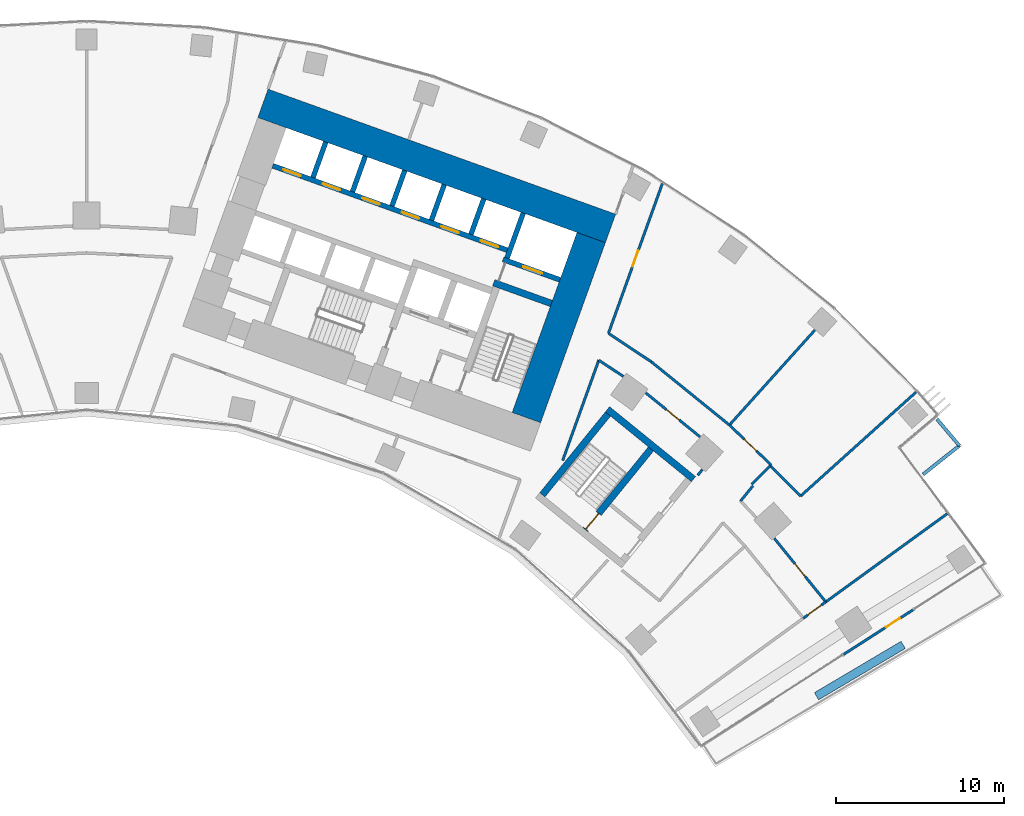
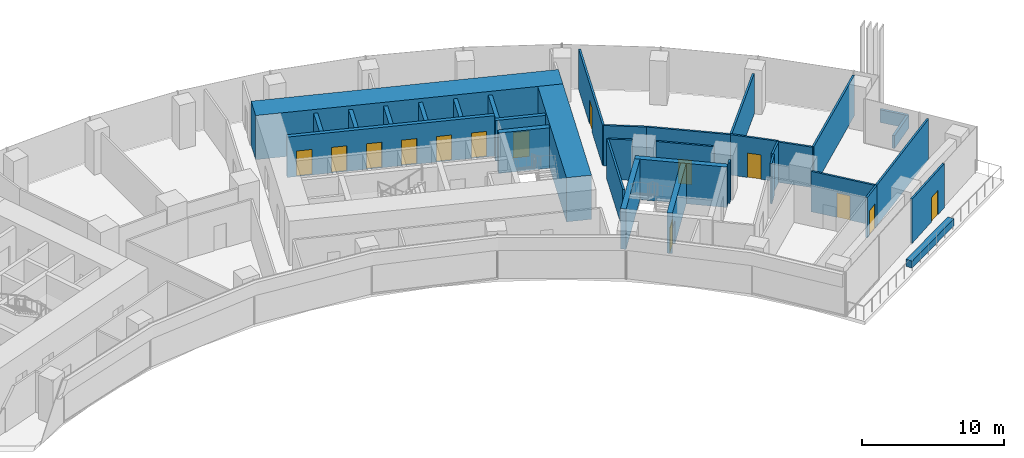
# One storey, part 18 of 21: 34 walls, 14 doors, 14 openings.
"""IFC4 building model written with IfcOpenShell, lengths in metres."""

from ifc_helpers import new_model, si_unit, direction, frame, frame_2d, origin, origin_2d, place, context, subcontext, project, spatial, rectangle, extrude, material, layer, layer_set, type_object, element, fill, save


model = new_model("IFC4")

# Units and contexts
model_context = context("Model", 3, precision=1e-05, world=origin(), true_north=direction((0.0, 1.0)))
body_context = subcontext(model_context, "Body", "Model", "MODEL_VIEW")
ifc_project = project(units=[si_unit("LENGTHUNIT", "METRE"), si_unit("AREAUNIT", "SQUARE_METRE"), si_unit("VOLUMEUNIT", "CUBIC_METRE"), si_unit("PLANEANGLEUNIT", "RADIAN"), si_unit("MASSUNIT", "GRAM", prefix="KILO")], contexts=[model_context])

# Site, building, storey
site_placement = place(None, origin())
site = spatial("IfcSite", under=ifc_project, at=site_placement, CompositionType="ELEMENT")
building_placement = place(site_placement, origin())
building = spatial("IfcBuilding", under=site, at=building_placement, Name="Stone Belt Terrace Tower", CompositionType="ELEMENT")
storey_placement = place(building_placement, frame((0.0, 0.0, 45.199951171875)))
storey = spatial("IfcBuildingStorey", under=building, at=storey_placement, Name="L10", CompositionType="ELEMENT", Elevation=45.199951171875)

# Wall, opening, door
ifc_material_1 = material(Name="Terracotta coloured glazed ceramic", Category="masonry")
ifc_layer_1 = layer(ifc_material_1, 0.14990234375)
ifc_layer_set_1 = layer_set([ifc_layer_1], Name="Ceramic rain-screen wall 150")
wall_type_1 = type_object("IfcWallType", Name="Ceramic rain-screen wall 150", PredefinedType="SOLIDWALL", material=ifc_layer_set_1)
wall_1_placement = place(storey_placement, frame((45.08447265625, 28.859375, 0.0), z_axis=(0.0, 0.0, 1.0), x_axis=(0.841477026499, 0.540292896376, 0.0)))
wall_1 = element("IfcWall", 1, at=wall_1_placement, inside=storey, type_object=wall_type_1, Name="Door wall L10", PredefinedType="SOLIDWALL", context=body_context, shape_type="SweptSolid", body=[
    extrude(rectangle(XDim=4.939697265625, YDim=0.14990234375, at=frame_2d((2.4697265625, 0.0))), origin(), (0.0, 0.0, 1.0), 3.800048828125),
])
opening_1_placement = place(wall_1_placement, frame((3.0, 0.0, 0.0)))
opening_1 = element("IfcOpeningElement", 2, at=opening_1_placement, cuts=wall_1, Name="Opening L10-E01", PredefinedType="OPENING", context=body_context, shape_type="SweptSolid", body=[
    extrude(rectangle(XDim=1.0, YDim=2.10009765625, at=frame_2d((0.5, 1.050048828125))), frame((0.0, 0.0849609375, 0.0), z_axis=(0.0, -1.0, 0.0), x_axis=(1.0, 0.0, 0.0)), (0.0, 0.0, 1.0), 0.169921875),
])
ifc_material_2 = material(Name="Anodised aluminium glazed door", Category="aluminium")
door_type_1 = type_object("IfcDoorType", Name="Terrace door 1000 x 2100", OperationType="NOTDEFINED", PredefinedType="DOOR", material=ifc_material_2)
door_1_placement = place(opening_1_placement, origin())
door_1 = element("IfcDoor", 3, at=door_1_placement, inside=storey, type_object=door_type_1, Name="Terrace door L10", OperationType="SINGLE_SWING_RIGHT", OverallHeight=2.10009765625, OverallWidth=1.0, PredefinedType="DOOR", context=body_context, shape_type="SweptSolid", body=[
    extrude(rectangle(XDim=1.0, YDim=2.10009765625, at=frame_2d((0.5, 1.050048828125))), frame((0.0, 0.02490234375, 0.0), z_axis=(0.0, -1.0, 0.0), x_axis=(1.0, 0.0, 0.0)), (0.0, 0.0, 1.0), 0.050048828125),
])
fill(opening_1, door_1)

# Walls
ifc_material_3 = material(Name="Concrete B80", Category="concrete")
ifc_layer_2 = layer(ifc_material_3, 1.800048828125)
ifc_layer_set_2 = layer_set([ifc_layer_2], Name="Core wall 1800 B80")
wall_type_2 = type_object("IfcWallType", Name="Core wall 1800 B80", PredefinedType="SHEAR", material=ifc_layer_set_2)
wall_2_placement = place(storey_placement, frame((10.509033203125, 61.685546875, 0.0), z_axis=(0.0, 0.0, 1.0), x_axis=(0.940922914687, -0.338620833112, 0.0)))
element("IfcWall", 4, at=wall_2_placement, inside=storey, type_object=wall_type_2, Name="Core B wall convex L10", PredefinedType="SHEAR", context=body_context, shape_type="SweptSolid", body=[
    extrude(rectangle(XDim=22.000244140625, YDim=1.800048828125, at=frame_2d((11.0, 0.0))), origin(), (0.0, 0.0, 1.0), 3.800048828125),
])
wall_3_placement = place(storey_placement, frame((26.197509765625, 42.96728515625, 0.0), z_axis=(0.0, 0.0, 1.0), x_axis=(0.338625431531, 0.940921259788, 0.0)))
element("IfcWall", 5, at=wall_3_placement, inside=storey, type_object=wall_type_2, Name="Core B wall end_b L10", PredefinedType="SHEAR", context=body_context, shape_type="SweptSolid", body=[
    extrude(rectangle(XDim=11.400146484375, YDim=1.800048828125, at=frame_2d((5.7001953125, 0.0))), origin(), (0.0, 0.0, 1.0), 3.800048828125),
])

# Wall, opening, door
ifc_layer_3 = layer(ifc_material_3, 0.300048828125)
ifc_layer_set_3 = layer_set([ifc_layer_3], Name="Lift shaft wall 300")
wall_type_3 = type_object("IfcWallType", Name="Lift shaft wall 300", PredefinedType="SHEAR", material=ifc_layer_set_3)
wall_4_placement = place(storey_placement, frame((28.195068359375, 51.17578125, 0.0), z_axis=(0.0, 0.0, 1.0), x_axis=(-0.940901243567, 0.338681044427, 0.0)))
wall_4 = element("IfcWall", 6, at=wall_4_placement, inside=storey, type_object=wall_type_3, Name="Core B wall", PredefinedType="SHEAR", context=body_context, shape_type="SweptSolid", body=[
    extrude(rectangle(XDim=3.599853515625, YDim=0.300048828125, at=frame_2d((1.7998046875, 0.0))), origin(), (0.0, 0.0, 1.0), 3.47998046875),
])
opening_2_placement = place(wall_4_placement, frame((1.1201171875, 0.0, 0.0)))
opening_2 = element("IfcOpeningElement", 7, at=opening_2_placement, cuts=wall_4, Name="Opening L10-LD18", PredefinedType="OPENING", context=body_context, shape_type="SweptSolid", body=[
    extrude(rectangle(XDim=1.199951171875, YDim=2.199951171875, at=frame_2d((0.60009765625, 1.10009765625))), frame((0.0, 0.159912109375, 0.0), z_axis=(0.0, -1.0, 0.0), x_axis=(1.0, 0.0, 0.0)), (0.0, 0.0, 1.0), 0.320068359375),
])
ifc_material_4 = material(Name="Stainless steel door leaf", Category="steel")
door_type_2 = type_object("IfcDoorType", Name="Landing door 1200", OperationType="SLIDING_TO_LEFT", PredefinedType="DOOR", material=ifc_material_4)
door_2_placement = place(opening_2_placement, origin())
door_2 = element("IfcDoor", 8, at=door_2_placement, inside=storey, type_object=door_type_2, Name="Landing door SV1 core B", OperationType="SLIDING_TO_LEFT", OverallHeight=2.199951171875, OverallWidth=1.199951171875, PredefinedType="DOOR", context=body_context, shape_type="SweptSolid", body=[
    extrude(rectangle(XDim=1.199951171875, YDim=2.199951171875, at=frame_2d((0.60009765625, 1.10009765625))), frame((0.0, 0.02490234375, 0.0), z_axis=(0.0, -1.0, 0.0), x_axis=(1.0, 0.0, 0.0)), (0.0, 0.0, 1.0), 0.050048828125),
])
fill(opening_2, door_2)

# Wall
wall_5_placement = place(storey_placement, frame((25.046875, 52.46826171875, 0.0), z_axis=(0.0, 0.0, 1.0), x_axis=(0.338549588058, 0.940948551423, 0.0)))
element("IfcWall", 9, at=wall_5_placement, inside=storey, type_object=wall_type_3, Name="Core B wall", PredefinedType="SHEAR", context=body_context, shape_type="SweptSolid", body=[
    extrude(rectangle(XDim=2.849853515625, YDim=0.300048828125, at=frame_2d((1.4248046875, 0.0))), origin(), (0.0, 0.0, 1.0), 3.47998046875),
])

# Wall, openings, doors
wall_6_placement = place(storey_placement, frame((25.05810546875, 52.9423828125, 0.0), z_axis=(0.0, 0.0, 1.0), x_axis=(-0.940918215764, 0.338633889685, 0.0)))
wall_6 = element("IfcWall", 10, at=wall_6_placement, inside=storey, type_object=wall_type_3, Name="Core B wall", PredefinedType="SHEAR", context=body_context, shape_type="SweptSolid", body=[
    extrude(rectangle(XDim=14.850341796875, YDim=0.300048828125, at=frame_2d((7.42529296875, 0.0))), origin(), (0.0, 0.0, 1.0), 3.47998046875),
])
opening_3_placement = place(wall_6_placement, frame((0.570068359375, 0.0, 0.0)))
opening_3 = element("IfcOpeningElement", 11, at=opening_3_placement, cuts=wall_6, Name="Opening L10-LD10", PredefinedType="OPENING", context=body_context, shape_type="SweptSolid", body=[
    extrude(rectangle(XDim=1.10009765625, YDim=2.199951171875, at=frame_2d((0.550048828125, 1.10009765625))), frame((0.0, 0.159912109375, 0.0), z_axis=(0.0, -1.0, 0.0), x_axis=(1.0, 0.0, 0.0)), (0.0, 0.0, 1.0), 0.320068359375),
])
opening_4_placement = place(wall_6_placement, frame((3.070068359375, 0.0, 0.0)))
opening_4 = element("IfcOpeningElement", 12, at=opening_4_placement, cuts=wall_6, Name="Opening L10-LD11", PredefinedType="OPENING", context=body_context, shape_type="SweptSolid", body=[
    extrude(rectangle(XDim=1.10009765625, YDim=2.199951171875, at=frame_2d((0.550048828125, 1.10009765625))), frame((0.0, 0.159912109375, 0.0), z_axis=(0.0, -1.0, 0.0), x_axis=(1.0, 0.0, 0.0)), (0.0, 0.0, 1.0), 0.320068359375),
])
opening_5_placement = place(wall_6_placement, frame((5.570068359375, 0.0, 0.0)))
opening_5 = element("IfcOpeningElement", 13, at=opening_5_placement, cuts=wall_6, Name="Opening L10-LD12", PredefinedType="OPENING", context=body_context, shape_type="SweptSolid", body=[
    extrude(rectangle(XDim=1.10009765625, YDim=2.199951171875, at=frame_2d((0.550048828125, 1.10009765625))), frame((0.0, 0.159912109375, 0.0), z_axis=(0.0, -1.0, 0.0), x_axis=(1.0, 0.0, 0.0)), (0.0, 0.0, 1.0), 0.320068359375),
])
opening_6_placement = place(wall_6_placement, frame((8.070068359375, 0.0, 0.0)))
opening_6 = element("IfcOpeningElement", 14, at=opening_6_placement, cuts=wall_6, Name="Opening L10-LD13", PredefinedType="OPENING", context=body_context, shape_type="SweptSolid", body=[
    extrude(rectangle(XDim=1.10009765625, YDim=2.199951171875, at=frame_2d((0.550048828125, 1.10009765625))), frame((0.0, 0.159912109375, 0.0), z_axis=(0.0, -1.0, 0.0), x_axis=(1.0, 0.0, 0.0)), (0.0, 0.0, 1.0), 0.320068359375),
])
opening_7_placement = place(wall_6_placement, frame((10.570068359375, 0.0, 0.0)))
opening_7 = element("IfcOpeningElement", 15, at=opening_7_placement, cuts=wall_6, Name="Opening L10-LD14", PredefinedType="OPENING", context=body_context, shape_type="SweptSolid", body=[
    extrude(rectangle(XDim=1.10009765625, YDim=2.199951171875, at=frame_2d((0.550048828125, 1.10009765625))), frame((0.0, 0.159912109375, 0.0), z_axis=(0.0, -1.0, 0.0), x_axis=(1.0, 0.0, 0.0)), (0.0, 0.0, 1.0), 0.320068359375),
])
opening_8_placement = place(wall_6_placement, frame((13.070068359375, 0.0, 0.0)))
opening_8 = element("IfcOpeningElement", 16, at=opening_8_placement, cuts=wall_6, Name="Opening L10-LD15", PredefinedType="OPENING", context=body_context, shape_type="SweptSolid", body=[
    extrude(rectangle(XDim=1.10009765625, YDim=2.199951171875, at=frame_2d((0.550048828125, 1.10009765625))), frame((0.0, 0.159912109375, 0.0), z_axis=(0.0, -1.0, 0.0), x_axis=(1.0, 0.0, 0.0)), (0.0, 0.0, 1.0), 0.320068359375),
])
door_type_3 = type_object("IfcDoorType", Name="Landing door 1100", OperationType="SLIDING_TO_LEFT", PredefinedType="DOOR", material=ifc_material_4)
door_3_placement = place(opening_3_placement, origin())
door_3 = element("IfcDoor", 17, at=door_3_placement, inside=storey, type_object=door_type_3, Name="Landing door LR1 core B", OperationType="SLIDING_TO_LEFT", OverallHeight=2.199951171875, OverallWidth=1.10009765625, PredefinedType="DOOR", context=body_context, shape_type="SweptSolid", body=[
    extrude(rectangle(XDim=1.10009765625, YDim=2.199951171875, at=frame_2d((0.550048828125, 1.10009765625))), frame((0.0, 0.02490234375, 0.0), z_axis=(0.0, -1.0, 0.0), x_axis=(1.0, 0.0, 0.0)), (0.0, 0.0, 1.0), 0.050048828125),
])
fill(opening_3, door_3)
door_4_placement = place(opening_4_placement, origin())
door_4 = element("IfcDoor", 18, at=door_4_placement, inside=storey, type_object=door_type_3, Name="Landing door LR2 core B", OperationType="SLIDING_TO_LEFT", OverallHeight=2.199951171875, OverallWidth=1.10009765625, PredefinedType="DOOR", context=body_context, shape_type="SweptSolid", body=[
    extrude(rectangle(XDim=1.10009765625, YDim=2.199951171875, at=frame_2d((0.550048828125, 1.10009765625))), frame((0.0, 0.02490234375, 0.0), z_axis=(0.0, -1.0, 0.0), x_axis=(1.0, 0.0, 0.0)), (0.0, 0.0, 1.0), 0.050048828125),
])
fill(opening_4, door_4)
door_5_placement = place(opening_5_placement, origin())
door_5 = element("IfcDoor", 19, at=door_5_placement, inside=storey, type_object=door_type_3, Name="Landing door LR3 core B", OperationType="SLIDING_TO_LEFT", OverallHeight=2.199951171875, OverallWidth=1.10009765625, PredefinedType="DOOR", context=body_context, shape_type="SweptSolid", body=[
    extrude(rectangle(XDim=1.10009765625, YDim=2.199951171875, at=frame_2d((0.550048828125, 1.10009765625))), frame((0.0, 0.02490234375, 0.0), z_axis=(0.0, -1.0, 0.0), x_axis=(1.0, 0.0, 0.0)), (0.0, 0.0, 1.0), 0.050048828125),
])
fill(opening_5, door_5)
door_6_placement = place(opening_6_placement, origin())
door_6 = element("IfcDoor", 20, at=door_6_placement, inside=storey, type_object=door_type_3, Name="Landing door LR4 core B", OperationType="SLIDING_TO_LEFT", OverallHeight=2.199951171875, OverallWidth=1.10009765625, PredefinedType="DOOR", context=body_context, shape_type="SweptSolid", body=[
    extrude(rectangle(XDim=1.10009765625, YDim=2.199951171875, at=frame_2d((0.550048828125, 1.10009765625))), frame((0.0, 0.02490234375, 0.0), z_axis=(0.0, -1.0, 0.0), x_axis=(1.0, 0.0, 0.0)), (0.0, 0.0, 1.0), 0.050048828125),
])
fill(opening_6, door_6)
door_7_placement = place(opening_7_placement, origin())
door_7 = element("IfcDoor", 21, at=door_7_placement, inside=storey, type_object=door_type_3, Name="Landing door LR5 core B", OperationType="SLIDING_TO_LEFT", OverallHeight=2.199951171875, OverallWidth=1.10009765625, PredefinedType="DOOR", context=body_context, shape_type="SweptSolid", body=[
    extrude(rectangle(XDim=1.10009765625, YDim=2.199951171875, at=frame_2d((0.550048828125, 1.10009765625))), frame((0.0, 0.02490234375, 0.0), z_axis=(0.0, -1.0, 0.0), x_axis=(1.0, 0.0, 0.0)), (0.0, 0.0, 1.0), 0.050048828125),
])
fill(opening_7, door_7)
door_8_placement = place(opening_8_placement, origin())
door_8 = element("IfcDoor", 22, at=door_8_placement, inside=storey, type_object=door_type_3, Name="Landing door LR6 core B", OperationType="SLIDING_TO_LEFT", OverallHeight=2.199951171875, OverallWidth=1.10009765625, PredefinedType="DOOR", context=body_context, shape_type="SweptSolid", body=[
    extrude(rectangle(XDim=1.10009765625, YDim=2.199951171875, at=frame_2d((0.550048828125, 1.10009765625))), frame((0.0, 0.02490234375, 0.0), z_axis=(0.0, -1.0, 0.0), x_axis=(1.0, 0.0, 0.0)), (0.0, 0.0, 1.0), 0.050048828125),
])
fill(opening_8, door_8)

# Walls
wall_7_placement = place(storey_placement, frame((22.897705078125, 53.87939453125, 0.0), z_axis=(0.0, 0.0, 1.0), x_axis=(0.338535034312, 0.940953787677, 0.0)))
element("IfcWall", 23, at=wall_7_placement, inside=storey, type_object=wall_type_3, Name="Core B wall", PredefinedType="SHEAR", context=body_context, shape_type="SweptSolid", body=[
    extrude(rectangle(XDim=2.25, YDim=0.300048828125, at=frame_2d((1.125, 0.0))), origin(), (0.0, 0.0, 1.0), 3.47998046875),
])
wall_8_placement = place(storey_placement, frame((20.54541015625, 54.72607421875, 0.0), z_axis=(0.0, 0.0, 1.0), x_axis=(0.338569601369, 0.940941350472, 0.0)))
element("IfcWall", 24, at=wall_8_placement, inside=storey, type_object=wall_type_3, Name="Core B wall", PredefinedType="SHEAR", context=body_context, shape_type="SweptSolid", body=[
    extrude(rectangle(XDim=2.249755859375, YDim=0.300048828125, at=frame_2d((1.125, 0.0))), origin(), (0.0, 0.0, 1.0), 3.47998046875),
])
wall_9_placement = place(storey_placement, frame((18.193115234375, 55.572509765625, 0.0), z_axis=(0.0, 0.0, 1.0), x_axis=(0.338535034312, 0.940953787677, 0.0)))
element("IfcWall", 25, at=wall_9_placement, inside=storey, type_object=wall_type_3, Name="Core B wall", PredefinedType="SHEAR", context=body_context, shape_type="SweptSolid", body=[
    extrude(rectangle(XDim=2.25, YDim=0.300048828125, at=frame_2d((1.125, 0.0))), origin(), (0.0, 0.0, 1.0), 3.47998046875),
])
wall_10_placement = place(storey_placement, frame((15.8408203125, 56.419189453125, 0.0), z_axis=(0.0, 0.0, 1.0), x_axis=(0.338569601369, 0.940941350472, 0.0)))
element("IfcWall", 26, at=wall_10_placement, inside=storey, type_object=wall_type_3, Name="Core B wall", PredefinedType="SHEAR", context=body_context, shape_type="SweptSolid", body=[
    extrude(rectangle(XDim=2.249755859375, YDim=0.300048828125, at=frame_2d((1.125, 0.0))), origin(), (0.0, 0.0, 1.0), 3.47998046875),
])
wall_11_placement = place(storey_placement, frame((13.48828125, 57.265625, 0.0), z_axis=(0.0, 0.0, 1.0), x_axis=(0.338631098537, 0.940919220286, 0.0)))
element("IfcWall", 27, at=wall_11_placement, inside=storey, type_object=wall_type_3, Name="Core B wall", PredefinedType="SHEAR", context=body_context, shape_type="SweptSolid", body=[
    extrude(rectangle(XDim=2.250244140625, YDim=0.300048828125, at=frame_2d((1.125, 0.0))), origin(), (0.0, 0.0, 1.0), 3.47998046875),
])
ifc_material_5 = material(Name="Gypsum board partition")
ifc_layer_4 = layer(ifc_material_5, 0.14990234375)
ifc_layer_set_4 = layer_set([ifc_layer_4], Name="PARTITION 150 EI 60")
wall_type_4 = type_object("IfcWallType", Name="PARTITION 150 EI 60", PredefinedType="PARTITIONING", material=ifc_layer_set_4)
wall_12_placement = place(storey_placement, frame((30.512939453125, 46.39599609375, 0.0), z_axis=(0.0, 0.0, 1.0), x_axis=(-0.338588876135, -0.940934414801, 0.0)))
element("IfcWall", 28, at=wall_12_placement, inside=storey, type_object=wall_type_4, Name="L10/wall/i025", PredefinedType="PARTITIONING", context=body_context, shape_type="SweptSolid", body=[
    extrude(rectangle(XDim=6.35546875, YDim=0.14990234375, at=frame_2d((3.177734375, 0.0))), origin(), (0.0, 0.0, 1.0), 3.47998046875),
])

# Wall, opening, door
wall_13_placement = place(storey_placement, frame((34.298095703125, 56.91015625, 0.0), z_axis=(0.0, 0.0, 1.0), x_axis=(-0.33871491295, -0.940889051772, 0.0)))
wall_13 = element("IfcWall", 29, at=wall_13_placement, inside=storey, type_object=wall_type_4, Name="L10/wall/i027", PredefinedType="PARTITIONING", context=body_context, shape_type="SweptSolid", body=[
    extrude(rectangle(XDim=9.489013671875, YDim=0.14990234375, at=frame_2d((4.74462890625, 0.0))), origin(), (0.0, 0.0, 1.0), 3.47998046875),
])
opening_9_placement = place(wall_13_placement, frame((4.244384765625, 0.0, 0.0)))
opening_9 = element("IfcOpeningElement", 30, at=opening_9_placement, cuts=wall_13, Name="Opening D-A3-24", PredefinedType="OPENING", context=body_context, shape_type="SweptSolid", body=[
    extrude(rectangle(XDim=1.0, YDim=2.10009765625, at=frame_2d((0.5, 1.050048828125))), frame((0.0, 0.0849609375, 0.0), z_axis=(0.0, -1.0, 0.0), x_axis=(1.0, 0.0, 0.0)), (0.0, 0.0, 1.0), 0.169921875),
])
ifc_material_6 = material(Name="Timber fire door leaf", Category="wood")
door_type_4 = type_object("IfcDoorType", Name="TENANCY ENTRANCE DOOR 1000 X 2100", OperationType="NOTDEFINED", PredefinedType="DOOR", material=ifc_material_6)
door_9_placement = place(opening_9_placement, origin())
door_9 = element("IfcDoor", 31, at=door_9_placement, inside=storey, type_object=door_type_4, Name="L10/door/i24", OperationType="SINGLE_SWING_RIGHT", OverallHeight=2.10009765625, OverallWidth=1.0, PredefinedType="DOOR", context=body_context, shape_type="SweptSolid", body=[
    extrude(rectangle(XDim=1.0, YDim=2.10009765625, at=frame_2d((0.5, 1.050048828125))), frame((0.0, 0.02490234375, 0.0), z_axis=(0.0, -1.0, 0.0), x_axis=(1.0, 0.0, 0.0)), (0.0, 0.0, 1.0), 0.050048828125),
])
fill(opening_9, door_9)

wall_14_placement = place(storey_placement, frame((44.035888671875, 31.992919921875, 0.0), z_axis=(0.0, 0.0, 1.0), x_axis=(-0.809123336002, -0.58763885775, 0.0)))
wall_14 = element("IfcWall", 32, at=wall_14_placement, inside=storey, type_object=wall_type_4, Name="L10/wall/i061", PredefinedType="PARTITIONING", context=body_context, shape_type="SweptSolid", body=[
    extrude(rectangle(XDim=1.662353515625, YDim=0.14990234375, at=frame_2d((0.8310546875, 0.0))), origin(), (0.0, 0.0, 1.0), 3.47998046875),
])
opening_10_placement = place(wall_14_placement, frame((0.331298828125, 0.0, 0.0)))
opening_10 = element("IfcOpeningElement", 33, at=opening_10_placement, cuts=wall_14, Name="Opening D-A3-20", PredefinedType="OPENING", context=body_context, shape_type="SweptSolid", body=[
    extrude(rectangle(XDim=1.0, YDim=2.10009765625, at=frame_2d((0.5, 1.050048828125))), frame((0.0, 0.0849609375, 0.0), z_axis=(0.0, -1.0, 0.0), x_axis=(1.0, 0.0, 0.0)), (0.0, 0.0, 1.0), 0.169921875),
])
door_10_placement = place(opening_10_placement, origin())
door_10 = element("IfcDoor", 34, at=door_10_placement, inside=storey, type_object=door_type_4, Name="L10/door/i20", OperationType="SINGLE_SWING_RIGHT", OverallHeight=2.10009765625, OverallWidth=1.0, PredefinedType="DOOR", context=body_context, shape_type="SweptSolid", body=[
    extrude(rectangle(XDim=1.0, YDim=2.10009765625, at=frame_2d((0.5, 1.050048828125))), frame((0.0, 0.02490234375, 0.0), z_axis=(0.0, -1.0, 0.0), x_axis=(1.0, 0.0, 0.0)), (0.0, 0.0, 1.0), 0.050048828125),
])
fill(opening_10, door_10)

# Wall
wall_15_placement = place(storey_placement, frame((44.02587890625, 31.987060546875, 0.0), z_axis=(0.0, 0.0, 1.0), x_axis=(0.809051316885, 0.587738008509, 0.0)))
element("IfcWall", 35, at=wall_15_placement, inside=storey, type_object=wall_type_4, Name="L10/wall/i063", PredefinedType="PARTITIONING", context=body_context, shape_type="SweptSolid", body=[
    extrude(rectangle(XDim=8.938720703125, YDim=0.14990234375, at=frame_2d((4.46923828125, 0.0))), origin(), (0.0, 0.0, 1.0), 3.47998046875),
])

# Wall, opening, door
wall_16_placement = place(storey_placement, frame((36.540771484375, 41.8232421875, 0.0), z_axis=(0.0, 0.0, 1.0), x_axis=(-0.777128540701, 0.629341903283, 0.0)))
wall_16 = element("IfcWall", 36, at=wall_16_placement, inside=storey, type_object=wall_type_4, Name="L10/wall/i064", PredefinedType="PARTITIONING", context=body_context, shape_type="SweptSolid", body=[
    extrude(rectangle(XDim=4.15478515625, YDim=0.14990234375, at=frame_2d((2.077392578125, 0.0))), origin(), (0.0, 0.0, 1.0), 3.47998046875),
])
opening_11_placement = place(wall_16_placement, frame((1.577392578125, 0.0, 0.0)))
opening_11 = element("IfcOpeningElement", 37, at=opening_11_placement, cuts=wall_16, Name="Opening D-A3-21", PredefinedType="OPENING", context=body_context, shape_type="SweptSolid", body=[
    extrude(rectangle(XDim=1.0, YDim=2.10009765625, at=frame_2d((0.5, 1.050048828125))), frame((0.0, 0.0849609375, 0.0), z_axis=(0.0, -1.0, 0.0), x_axis=(1.0, 0.0, 0.0)), (0.0, 0.0, 1.0), 0.169921875),
])
door_11_placement = place(opening_11_placement, origin())
door_11 = element("IfcDoor", 38, at=door_11_placement, inside=storey, type_object=door_type_4, Name="L10/door/i21", OperationType="SINGLE_SWING_RIGHT", OverallHeight=2.10009765625, OverallWidth=1.0, PredefinedType="DOOR", context=body_context, shape_type="SweptSolid", body=[
    extrude(rectangle(XDim=1.0, YDim=2.10009765625, at=frame_2d((0.5, 1.050048828125))), frame((0.0, 0.02490234375, 0.0), z_axis=(0.0, -1.0, 0.0), x_axis=(1.0, 0.0, 0.0)), (0.0, 0.0, 1.0), 0.050048828125),
])
fill(opening_11, door_11)

# Walls
wall_17_placement = place(storey_placement, frame((31.9736328125, 45.420166015625, 0.0), z_axis=(0.0, 0.0, 1.0), x_axis=(-0.833460186345, 0.552579512629, 0.0)))
element("IfcWall", 39, at=wall_17_placement, inside=storey, type_object=wall_type_4, Name="L10/wall/i065", PredefinedType="PARTITIONING", context=body_context, shape_type="SweptSolid", body=[
    extrude(rectangle(XDim=1.7548828125, YDim=0.14990234375, at=frame_2d((0.87744140625, 0.0))), origin(), (0.0, 0.0, 1.0), 3.47998046875),
])
wall_18_placement = place(storey_placement, frame((31.0859375, 47.988037109375, 0.0), z_axis=(0.0, 0.0, 1.0), x_axis=(0.833238850842, -0.552913209688, 0.0)))
element("IfcWall", 40, at=wall_18_placement, inside=storey, type_object=wall_type_4, Name="L10/wall/i066", PredefinedType="PARTITIONING", context=body_context, shape_type="SweptSolid", body=[
    extrude(rectangle(XDim=3.060302734375, YDim=0.14990234375, at=frame_2d((1.5302734375, 0.0))), origin(), (0.0, 0.0, 1.0), 3.47998046875),
])
wall_19_placement = place(storey_placement, frame((33.635986328125, 46.2958984375, 0.0), z_axis=(0.0, 0.0, 1.0), x_axis=(0.777109127033, -0.629365875054, 0.0)))
element("IfcWall", 41, at=wall_19_placement, inside=storey, type_object=wall_type_4, Name="L10/wall/i067", PredefinedType="PARTITIONING", context=body_context, shape_type="SweptSolid", body=[
    extrude(rectangle(XDim=5.990234375, YDim=0.14990234375, at=frame_2d((2.9951171875, 0.0))), origin(), (0.0, 0.0, 1.0), 3.47998046875),
])

# Wall, opening, door
wall_20_placement = place(storey_placement, frame((38.291015625, 42.52587890625, 0.0), z_axis=(0.0, 0.0, 1.0), x_axis=(0.722780468826, -0.691077704664, 0.0)))
wall_20 = element("IfcWall", 42, at=wall_20_placement, inside=storey, type_object=wall_type_4, Name="L10/wall/i068", PredefinedType="PARTITIONING", context=body_context, shape_type="SweptSolid", body=[
    extrude(rectangle(XDim=3.4423828125, YDim=0.14990234375, at=frame_2d((1.72119140625, 0.0))), origin(), (0.0, 0.0, 1.0), 3.47998046875),
])
opening_12_placement = place(wall_20_placement, frame((1.22119140625, 0.0, 0.0)))
opening_12 = element("IfcOpeningElement", 43, at=opening_12_placement, cuts=wall_20, Name="Opening D-A3-25", PredefinedType="OPENING", context=body_context, shape_type="SweptSolid", body=[
    extrude(rectangle(XDim=1.0, YDim=2.10009765625, at=frame_2d((0.5, 1.050048828125))), frame((0.0, 0.0849609375, 0.0), z_axis=(0.0, -1.0, 0.0), x_axis=(1.0, 0.0, 0.0)), (0.0, 0.0, 1.0), 0.169921875),
])
door_12_placement = place(opening_12_placement, origin())
door_12 = element("IfcDoor", 44, at=door_12_placement, inside=storey, type_object=door_type_4, Name="L10/door/i25", OperationType="SINGLE_SWING_RIGHT", OverallHeight=2.10009765625, OverallWidth=1.0, PredefinedType="DOOR", context=body_context, shape_type="SweptSolid", body=[
    extrude(rectangle(XDim=1.0, YDim=2.10009765625, at=frame_2d((0.5, 1.050048828125))), frame((0.0, 0.02490234375, 0.0), z_axis=(0.0, -1.0, 0.0), x_axis=(1.0, 0.0, 0.0)), (0.0, 0.0, 1.0), 0.050048828125),
])
fill(opening_12, door_12)

# Wall
wall_21_placement = place(storey_placement, frame((40.72802734375, 40.096923828125, 0.0), z_axis=(0.0, 0.0, 1.0), x_axis=(-0.712511967549, -0.7016599576, 0.0)))
element("IfcWall", 45, at=wall_21_placement, inside=storey, type_object=wall_type_4, Name="L10/wall/i069", PredefinedType="PARTITIONING", context=body_context, shape_type="SweptSolid", body=[
    extrude(rectangle(XDim=1.57470703125, YDim=0.14990234375, at=frame_2d((0.787353515625, 0.0))), origin(), (0.0, 0.0, 1.0), 3.47998046875),
])

# Wall, opening, door
wall_22_placement = place(storey_placement, frame((40.96875, 35.771484375, 0.0), z_axis=(0.0, 0.0, 1.0), x_axis=(0.629328121528, -0.777139701375, 0.0)))
wall_22 = element("IfcWall", 46, at=wall_22_placement, inside=storey, type_object=wall_type_4, Name="L10/wall/i073", PredefinedType="PARTITIONING", context=body_context, shape_type="SweptSolid", body=[
    extrude(rectangle(XDim=4.865966796875, YDim=0.14990234375, at=frame_2d((2.43310546875, 0.0))), origin(), (0.0, 0.0, 1.0), 3.47998046875),
])
opening_13_placement = place(wall_22_placement, frame((1.932861328125, 0.0, 0.0)))
opening_13 = element("IfcOpeningElement", 47, at=opening_13_placement, cuts=wall_22, Name="Opening D-A3-26", PredefinedType="OPENING", context=body_context, shape_type="SweptSolid", body=[
    extrude(rectangle(XDim=1.0, YDim=2.10009765625, at=frame_2d((0.5, 1.050048828125))), frame((0.0, 0.0849609375, 0.0), z_axis=(0.0, -1.0, 0.0), x_axis=(1.0, 0.0, 0.0)), (0.0, 0.0, 1.0), 0.169921875),
])
door_13_placement = place(opening_13_placement, origin())
door_13 = element("IfcDoor", 48, at=door_13_placement, inside=storey, type_object=door_type_4, Name="L10/door/i26", OperationType="SINGLE_SWING_RIGHT", OverallHeight=2.10009765625, OverallWidth=1.0, PredefinedType="DOOR", context=body_context, shape_type="SweptSolid", body=[
    extrude(rectangle(XDim=1.0, YDim=2.10009765625, at=frame_2d((0.5, 1.050048828125))), frame((0.0, 0.02490234375, 0.0), z_axis=(0.0, -1.0, 0.0), x_axis=(1.0, 0.0, 0.0)), (0.0, 0.0, 1.0), 0.050048828125),
])
fill(opening_13, door_13)

# Walls
wall_23_placement = place(storey_placement, frame((36.406005859375, 39.537109375, 0.0), z_axis=(0.0, 0.0, 1.0), x_axis=(0.630378027046, 0.776288311787, 0.0)))
element("IfcWall", 49, at=wall_23_placement, inside=storey, type_object=wall_type_4, Name="L10/wall/i074", PredefinedType="PARTITIONING", context=body_context, shape_type="SweptSolid", body=[
    extrude(rectangle(XDim=0.428466796875, YDim=0.14990234375, at=frame_2d((0.21435546875, 0.0))), origin(), (0.0, 0.0, 1.0), 3.47998046875),
])
wall_24_placement = place(storey_placement, frame((39.695068359375, 38.908935546875, 0.0), z_axis=(0.0, 0.0, 1.0), x_axis=(-0.630443636726, -0.776235029428, 0.0)))
element("IfcWall", 50, at=wall_24_placement, inside=storey, type_object=wall_type_4, Name="L10/wall/i077", PredefinedType="PARTITIONING", context=body_context, shape_type="SweptSolid", body=[
    extrude(rectangle(XDim=1.172119140625, YDim=0.14990234375, at=frame_2d((0.5859375, 0.0))), origin(), (0.0, 0.0, 1.0), 3.47998046875),
])
wall_25_placement = place(storey_placement, frame((43.382080078125, 48.18115234375, 0.0), z_axis=(0.0, 0.0, 1.0), x_axis=(-0.669060448127, -0.743207990237, 0.0)))
element("IfcWall", 51, at=wall_25_placement, inside=storey, type_object=wall_type_4, Name="L10/wall/i079", PredefinedType="PARTITIONING", context=body_context, shape_type="SweptSolid", body=[
    extrude(rectangle(XDim=7.609375, YDim=0.14990234375, at=frame_2d((3.8046875, 0.0))), origin(), (0.0, 0.0, 1.0), 3.47998046875),
])
wall_26_placement = place(storey_placement, frame((49.41943359375, 44.496826171875, 0.0), z_axis=(0.0, 0.0, 1.0), x_axis=(-0.743207759706, -0.669060704206, 0.0)))
element("IfcWall", 52, at=wall_26_placement, inside=storey, type_object=wall_type_4, Name="L10/wall/i080", PredefinedType="PARTITIONING", context=body_context, shape_type="SweptSolid", body=[
    extrude(rectangle(XDim=9.275390625, YDim=0.14990234375, at=frame_2d((4.6376953125, 0.0))), origin(), (0.0, 0.0, 1.0), 3.47998046875),
])
wall_27_placement = place(storey_placement, frame((42.52587890625, 38.291015625, 0.0), z_axis=(0.0, 0.0, 1.0), x_axis=(-0.707058875846, 0.707154683282, 0.0)))
element("IfcWall", 53, at=wall_27_placement, inside=storey, type_object=wall_type_4, Name="L10/wall/i081", PredefinedType="PARTITIONING", context=body_context, shape_type="SweptSolid", body=[
    extrude(rectangle(XDim=2.54833984375, YDim=0.14990234375, at=frame_2d((1.274169921875, 0.0))), origin(), (0.0, 0.0, 1.0), 3.47998046875),
])
ifc_material_7 = material(Name="Precast concrete C40/50", Category="concrete")
ifc_layer_5 = layer(ifc_material_7, 0.5)
ifc_layer_set_5 = layer_set([ifc_layer_5], Name="Planter box 500 x 600")
wall_type_5 = type_object("IfcWallType", Name="Planter box 500 x 600", PredefinedType="SOLIDWALL", material=ifc_layer_set_5)
wall_28_placement = place(storey_placement, frame((46.060791015625, 27.90185546875, 0.0), z_axis=(0.0, 0.0, 1.0), x_axis=(0.860557728521, 0.509352918793, 0.0)))
element("IfcWall", 54, at=wall_28_placement, inside=storey, type_object=wall_type_5, Name="PLANTER L10 1", PredefinedType="SOLIDWALL", context=body_context, shape_type="SweptSolid", body=[
    extrude(rectangle(XDim=6.0, YDim=0.5, at=origin_2d()), origin(), (0.0, 0.0, 1.0), 0.60009765625),
])
ifc_layer_6 = layer(ifc_material_7, 0.199951171875)
ifc_layer_set_6 = layer_set([ifc_layer_6], Name="Roof parapet 200 x 1100")
wall_type_6 = type_object("IfcWallType", Name="Roof parapet 200 x 1100", PredefinedType="PARAPET", material=ifc_layer_set_6)
wall_29_placement = place(storey_placement, frame((51.990478515625, 41.2978515625, 0.0), z_axis=(0.0, 0.0, 1.0), x_axis=(-0.64523145049, 0.763987156501, 0.0)))
element("IfcWall", 55, at=wall_29_placement, inside=storey, type_object=wall_type_6, Name="PARAPET L10", PredefinedType="PARAPET", context=body_context, shape_type="SweptSolid", body=[
    extrude(rectangle(XDim=2.06396484375, YDim=0.199951171875, at=frame_2d((1.031982421875, 0.0))), origin(), (0.0, 0.0, 1.0), 1.10009765625),
])
wall_30_placement = place(storey_placement, frame((49.82861328125, 39.5859375, 0.0), z_axis=(0.0, 0.0, 1.0), x_axis=(0.783968622792, 0.620800449804, 0.0)))
element("IfcWall", 56, at=wall_30_placement, inside=storey, type_object=wall_type_6, Name="PARAPET L10", PredefinedType="PARAPET", context=body_context, shape_type="SweptSolid", body=[
    extrude(rectangle(XDim=2.757568359375, YDim=0.199951171875, at=frame_2d((1.37890625, 0.0))), origin(), (0.0, 0.0, 1.0), 1.10009765625),
])
ifc_layer_7 = layer(ifc_material_3, 0.39990234375)
ifc_layer_set_7 = layer_set([ifc_layer_7], Name="Stair enclosure wall 400")
wall_type_7 = type_object("IfcWallType", Name="Stair enclosure wall 400", PredefinedType="SHEAR", material=ifc_layer_set_7)
wall_31_placement = place(storey_placement, frame((27.687255859375, 49.764404296875, 0.0), z_axis=(0.0, 0.0, 1.0), x_axis=(-0.940918954884, 0.338631835981, 0.0)))
element("IfcWall", 57, at=wall_31_placement, inside=storey, type_object=wall_type_7, Name="Core B wall", PredefinedType="SHEAR", context=body_context, shape_type="SweptSolid", body=[
    extrude(rectangle(XDim=3.650146484375, YDim=0.39990234375, at=frame_2d((1.8251953125, 0.0))), origin(), (0.0, 0.0, 1.0), 3.47998046875),
])
wall_32_placement = place(storey_placement, frame((31.02783203125, 43.46337890625, 0.0), z_axis=(0.0, 0.0, 1.0), x_axis=(0.776413760801, -0.630223509589, 0.0)))
element("IfcWall", 58, at=wall_32_placement, inside=storey, type_object=wall_type_7, Name="Exit stair ST3B wall", PredefinedType="SHEAR", context=body_context, shape_type="SweptSolid", body=[
    extrude(rectangle(XDim=6.599853515625, YDim=0.39990234375, at=frame_2d((3.2998046875, 0.0))), origin(), (0.0, 0.0, 1.0), 3.47998046875),
])
wall_33_placement = place(storey_placement, frame((27.149658203125, 38.3681640625, 0.0), z_axis=(0.0, 0.0, 1.0), x_axis=(0.630211551729, 0.776423466973, 0.0)))
element("IfcWall", 59, at=wall_33_placement, inside=storey, type_object=wall_type_7, Name="Exit stair ST3B wall", PredefinedType="SHEAR", context=body_context, shape_type="SweptSolid", body=[
    extrude(rectangle(XDim=6.199951171875, YDim=0.39990234375, at=frame_2d((3.10009765625, 0.0))), origin(), (0.0, 0.0, 1.0), 3.47998046875),
])

# Wall, opening, door
wall_34_placement = place(storey_placement, frame((29.7119140625, 36.288330078125, 0.0), z_axis=(0.0, 0.0, 1.0), x_axis=(0.630192283849, 0.776439106033, 0.0)))
wall_34 = element("IfcWall", 60, at=wall_34_placement, inside=storey, type_object=wall_type_7, Name="Exit stair ST3B wall", PredefinedType="SHEAR", context=body_context, shape_type="SweptSolid", body=[
    extrude(rectangle(XDim=6.199951171875, YDim=0.39990234375, at=frame_2d((3.10009765625, 0.0))), origin(), (0.0, 0.0, 1.0), 3.47998046875),
])
opening_14_placement = place(wall_34_placement, frame((0.050048828125, 0.0, 0.0)))
opening_14 = element("IfcOpeningElement", 61, at=opening_14_placement, cuts=wall_34, Name="Opening L10-C22", PredefinedType="OPENING", context=body_context, shape_type="SweptSolid", body=[
    extrude(rectangle(XDim=1.199951171875, YDim=2.10009765625, at=frame_2d((0.60009765625, 1.050048828125))), frame((0.0, 0.2099609375, 0.0), z_axis=(0.0, -1.0, 0.0), x_axis=(1.0, 0.0, 0.0)), (0.0, 0.0, 1.0), 0.419921875),
])
ifc_material_8 = material(Name="Steel door leaf", Category="steel")
door_type_5 = type_object("IfcDoorType", Name="Stair door 1200", OperationType="SINGLE_SWING_LEFT", PredefinedType="DOOR", material=ifc_material_8)
door_14_placement = place(opening_14_placement, origin())
door_14 = element("IfcDoor", 62, at=door_14_placement, inside=storey, type_object=door_type_5, Name="Stair door ST3B", OperationType="SINGLE_SWING_LEFT", OverallHeight=2.10009765625, OverallWidth=1.199951171875, PredefinedType="DOOR", context=body_context, shape_type="SweptSolid", body=[
    extrude(rectangle(XDim=1.199951171875, YDim=2.10009765625, at=frame_2d((0.60009765625, 1.050048828125))), frame((0.0, 0.02490234375, 0.0), z_axis=(0.0, -1.0, 0.0), x_axis=(1.0, 0.0, 0.0)), (0.0, 0.0, 1.0), 0.050048828125),
])
fill(opening_14, door_14)

save(model, "model.ifc")
